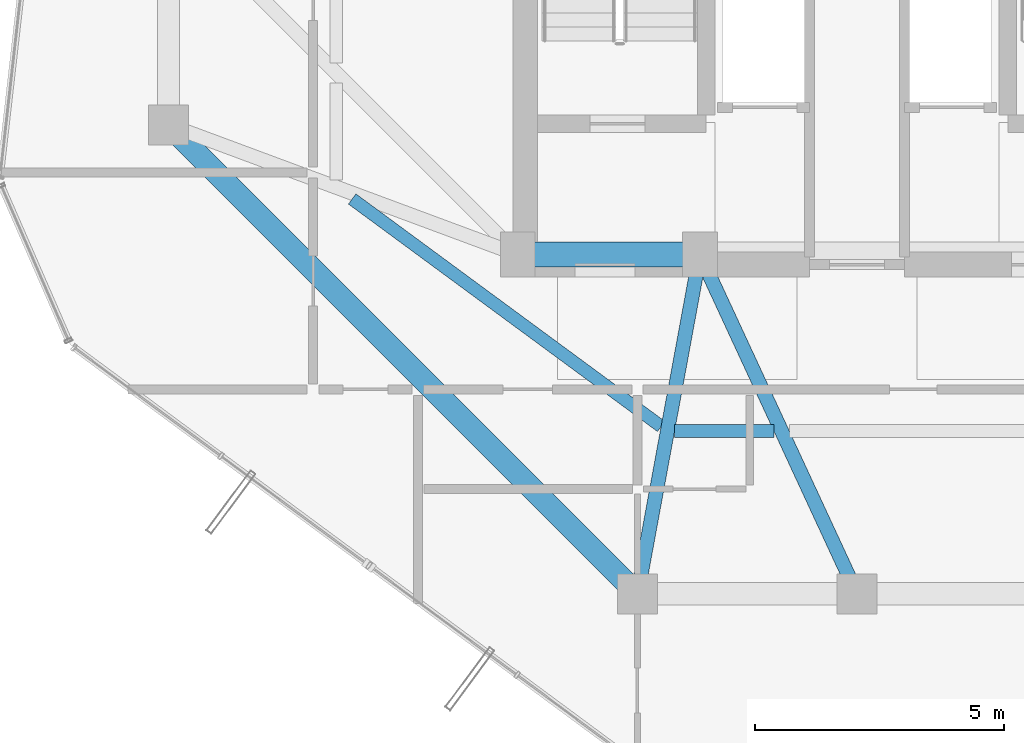
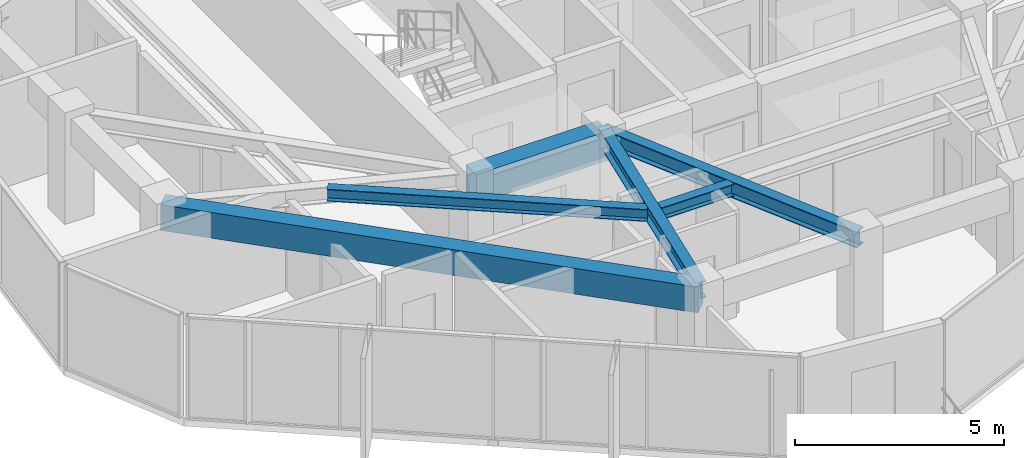
# One storey, part 7 of 30: 6 beams.
"""IFC4 building model written with IfcOpenShell, lengths in metres."""

from ifc_helpers import new_model, si_unit, direction, frame, origin, origin_2d, place, context, subcontext, project, spatial, rectangle, i_section, extrude, material, material_profile, profile_set, type_object, element, save


model = new_model("IFC4")

# Units and contexts
model_context = context("Model", 3, precision=1e-05, world=origin(), true_north=direction((0.0, 1.0)))
body_context = subcontext(model_context, "Body", "Model", "MODEL_VIEW")
ifc_project = project(units=[si_unit("LENGTHUNIT", "METRE"), si_unit("AREAUNIT", "SQUARE_METRE"), si_unit("VOLUMEUNIT", "CUBIC_METRE"), si_unit("PLANEANGLEUNIT", "RADIAN"), si_unit("MASSUNIT", "GRAM", prefix="KILO")], contexts=[model_context])

# Site, building, storey
site_placement = place(None, origin())
site = spatial("IfcSite", under=ifc_project, at=site_placement, CompositionType="ELEMENT")
building_placement = place(site_placement, origin())
building = spatial("IfcBuilding", under=site, at=building_placement, Name="Veraguas Prism Commons", CompositionType="ELEMENT")
storey_placement = place(building_placement, frame((0.0, 0.0, 230.050048828125)))
storey = spatial("IfcBuildingStorey", under=building, at=storey_placement, Name="L65", CompositionType="ELEMENT", Elevation=230.050048828125)

# Beams
ifc_material_1 = material(Name="Concrete C50/60", Category="concrete")
ifc_material_profile_1 = material_profile(ifc_material_1, rectangle(XDim=0.5, YDim=0.85009765625, at=origin_2d()), Name="RC500X850")
ifc_profile_set_1 = profile_set([ifc_material_profile_1], Name="Concrete C50/60")
beam_type_1 = type_object("IfcBeamType", Name="Core Coupling Beam RC 500x850", PredefinedType="BEAM", material=ifc_profile_set_1)
beam_1_placement = place(storey_placement, frame((17.199951171875, 17.0, 2.58984375), z_axis=(1.0, 0.0, 0.0), x_axis=(0.0, 1.0, 0.0)))
element("IfcBeam", 1, at=beam_1_placement, inside=storey, type_object=beam_type_1, Name="Core Coupling Beam L65-CRS1", PredefinedType="BEAM", context=body_context, shape_type="SweptSolid", body=[
    extrude(rectangle(XDim=0.5, YDim=0.85009765625, at=origin_2d()), origin(), (0.0, 0.0, 1.0), 3.650146484375),
])
ifc_material_profile_2 = material_profile(ifc_material_1, rectangle(XDim=0.449951171875, YDim=0.75, at=origin_2d()), Name="RC450X750")
ifc_profile_set_2 = profile_set([ifc_material_profile_2], Name="Concrete C50/60")
beam_type_2 = type_object("IfcBeamType", Name="Perimeter Spandrel Upper RC 450x750", PredefinedType="SPANDREL", material=ifc_profile_set_2)
beam_2_placement = place(storey_placement, frame((10.199951171875, 19.60009765625, 2.639892578125), z_axis=(0.707106781187, -0.707106781187, 0.0), x_axis=(0.707106781187, 0.707106781187, 0.0)))
element("IfcBeam", 2, at=beam_2_placement, inside=storey, type_object=beam_type_2, Name="Perimeter Spandrel Beam L65-SP09", PredefinedType="SPANDREL", context=body_context, shape_type="SweptSolid", body=[
    extrude(rectangle(XDim=0.449951171875, YDim=0.75, at=origin_2d()), origin(), (0.0, 0.0, 1.0), 13.293701171875),
])
ifc_material_2 = material(Name="Steel ASTM A992 Grade 50", Category="steel")
ifc_material_profile_3 = material_profile(ifc_material_2, i_section(OverallWidth=0.25390625, OverallDepth=0.35302734375, WebThickness=0.009521484375, FlangeThickness=0.016357421875, at=origin_2d()), Name="W360X91")
ifc_profile_set_3 = profile_set([ifc_material_profile_3], Name="Steel ASTM A992 Grade 50")
beam_type_3 = type_object("IfcBeamType", Name="Upper Floor Joist W360x91", PredefinedType="JOIST", material=ifc_profile_set_3)
beam_3_placement = place(storey_placement, frame((13.881103515625, 18.11572265625, 2.83837890625), z_axis=(0.805319835229, -0.592840588174, 0.0), x_axis=(0.592840588174, 0.805319835229, 0.0)))
element("IfcBeam", 3, at=beam_3_placement, inside=storey, type_object=beam_type_3, Name="Composite Floor Joist L65-JS09", PredefinedType="JOIST", context=body_context, shape_type="SweptSolid", body=[
    extrude(i_section(OverallWidth=0.25390625, OverallDepth=0.35302734375, WebThickness=0.009521484375, FlangeThickness=0.016357421875, at=origin_2d()), origin(), (0.0, 0.0, 1.0), 7.69140625),
])
beam_4_placement = place(storey_placement, frame((20.341796875, 13.464111328125, 2.83837890625), z_axis=(1.0, 0.0, 0.0), x_axis=(0.0, 1.0, 0.0)))
element("IfcBeam", 4, at=beam_4_placement, inside=storey, type_object=beam_type_3, Name="Composite Floor Joist L65-JS10", PredefinedType="JOIST", context=body_context, shape_type="SweptSolid", body=[
    extrude(i_section(OverallWidth=0.25390625, OverallDepth=0.35302734375, WebThickness=0.009521484375, FlangeThickness=0.016357421875, at=origin_2d()), origin(), (0.0, 0.0, 1.0), 1.992431640625),
])
ifc_material_profile_4 = material_profile(ifc_material_2, i_section(OverallWidth=0.282958984375, OverallDepth=0.471923828125, WebThickness=0.013671875, FlangeThickness=0.022216796875, at=origin_2d()), Name="W460X144")
ifc_profile_set_4 = profile_set([ifc_material_profile_4], Name="Steel ASTM A992 Grade 50")
beam_type_4 = type_object("IfcBeamType", Name="Zone 4 Radial Girder W460x144", PredefinedType="BEAM", material=ifc_profile_set_4)
beam_5_placement = place(storey_placement, frame((19.60009765625, 10.199951171875, 2.779052734375), z_axis=(0.180793033327, 0.983521163524, 0.0), x_axis=(-0.983521163524, 0.180793033327, 0.0)))
element("IfcBeam", 5, at=beam_5_placement, inside=storey, type_object=beam_type_4, Name="Radial Floor Girder L65-RD10", PredefinedType="BEAM", context=body_context, shape_type="SweptSolid", body=[
    extrude(i_section(OverallWidth=0.282958984375, OverallDepth=0.471923828125, WebThickness=0.013671875, FlangeThickness=0.022216796875, at=origin_2d()), origin(), (0.0, 0.0, 1.0), 6.9140625),
])
beam_6_placement = place(storey_placement, frame((24.0, 10.199951171875, 2.779052734375), z_axis=(-0.420313834543, 0.907378796585, 0.0), x_axis=(-0.907378796585, -0.420313834543, 0.0)))
element("IfcBeam", 6, at=beam_6_placement, inside=storey, type_object=beam_type_4, Name="Radial Floor Girder L65-RD11", PredefinedType="BEAM", context=body_context, shape_type="SweptSolid", body=[
    extrude(i_section(OverallWidth=0.282958984375, OverallDepth=0.471923828125, WebThickness=0.013671875, FlangeThickness=0.022216796875, at=origin_2d()), origin(), (0.0, 0.0, 1.0), 7.494140625),
])

save(model, "model.ifc")
